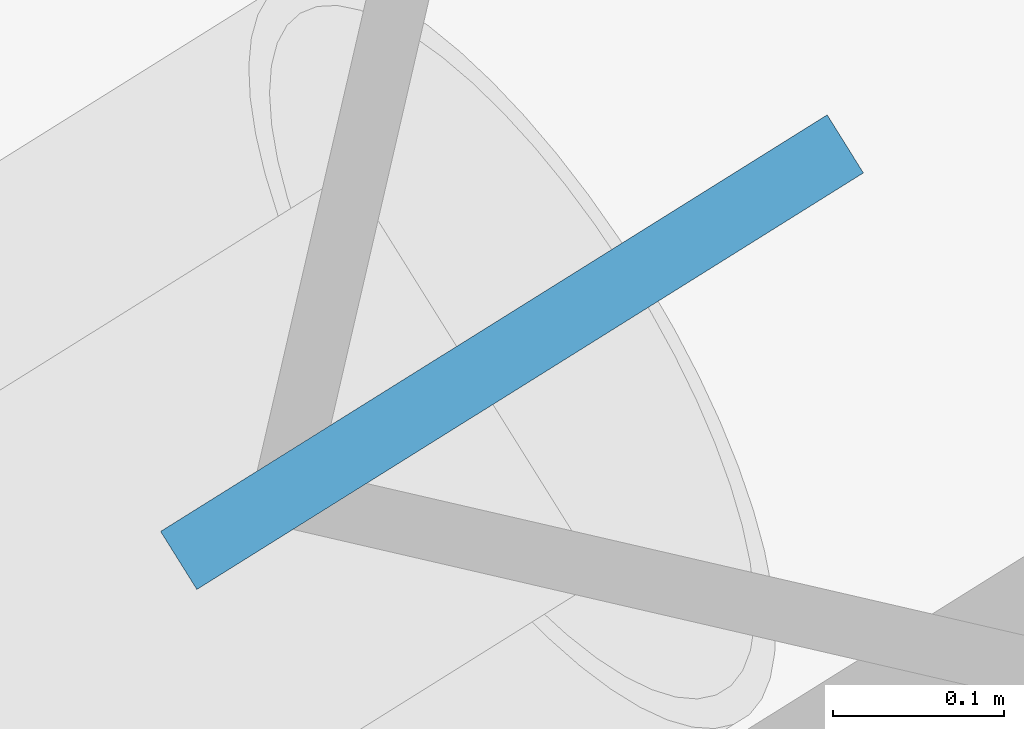
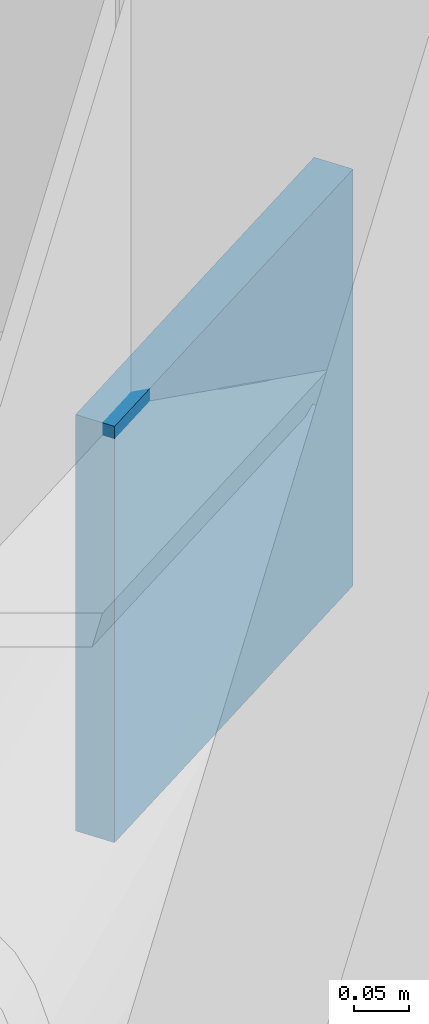
# One storey, part 20 of 23: 1 discrete accessory.
"""IFC4 building model written with IfcOpenShell, lengths in metres."""

from ifc_helpers import new_model, si_unit, direction, frame, origin, origin_2d, place, context, subcontext, project, spatial, rectangle, extrude, material, type_object, element, save


model = new_model("IFC4")

# Units and contexts
model_context = context("Model", 3, precision=1e-05, world=origin(), true_north=direction((0.0, 1.0)))
body_context = subcontext(model_context, "Body", "Model", "MODEL_VIEW")
ifc_project = project(units=[si_unit("LENGTHUNIT", "METRE"), si_unit("AREAUNIT", "SQUARE_METRE"), si_unit("VOLUMEUNIT", "CUBIC_METRE"), si_unit("PLANEANGLEUNIT", "RADIAN"), si_unit("MASSUNIT", "GRAM", prefix="KILO")], contexts=[model_context])

# Site, building, storey
site_placement = place(None, origin())
site = spatial("IfcSite", under=ifc_project, at=site_placement, CompositionType="ELEMENT")
building_placement = place(site_placement, origin())
building = spatial("IfcBuilding", under=site, at=building_placement, Name="Tavrogorsk Clinical Tower", CompositionType="ELEMENT")
storey_placement = place(building_placement, frame((0.0, 0.0, 63.39990234375)))
storey = spatial("IfcBuildingStorey", under=building, at=storey_placement, Name="L13", CompositionType="ELEMENT", Elevation=63.39990234375)

# Discrete accessory
ifc_material = material(Name="Structural steel S440", Category="steel")
discrete_accessory_type = type_object("IfcDiscreteAccessoryType", Name="GussetPlateBracket_25", PredefinedType="BRACKET", material=ifc_material)
discrete_accessory_placement = place(storey_placement, frame((-30.364013671875, 29.9541015625, 2.667724609375), z_axis=(0.0, 0.0, 1.0), x_axis=(0.848048096156, 0.529919264233, 0.0)))
element("IfcDiscreteAccessory", 1, at=discrete_accessory_placement, inside=storey, type_object=discrete_accessory_type, Name="L13 Brace Gusset Plate EXOCRN-L13-3-B", PredefinedType="BRACKET", context=body_context, shape_type="SweptSolid", body=[
    extrude(rectangle(XDim=0.4599609375, YDim=0.0400390625, at=origin_2d()), origin(), (0.0, 0.0, 1.0), 0.4599609375),
])

save(model, "model.ifc")
